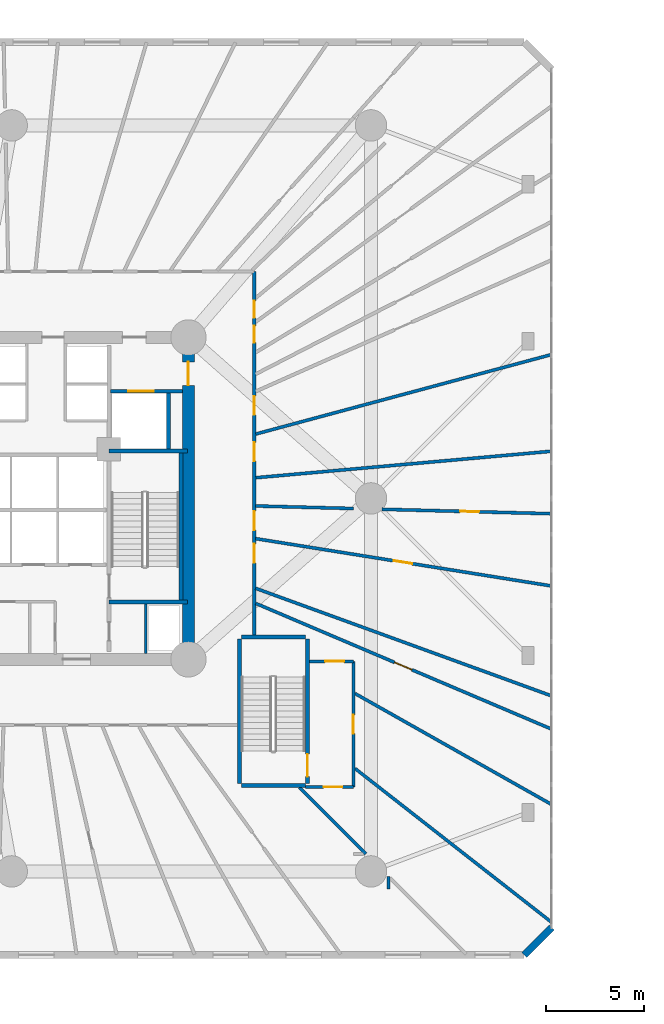
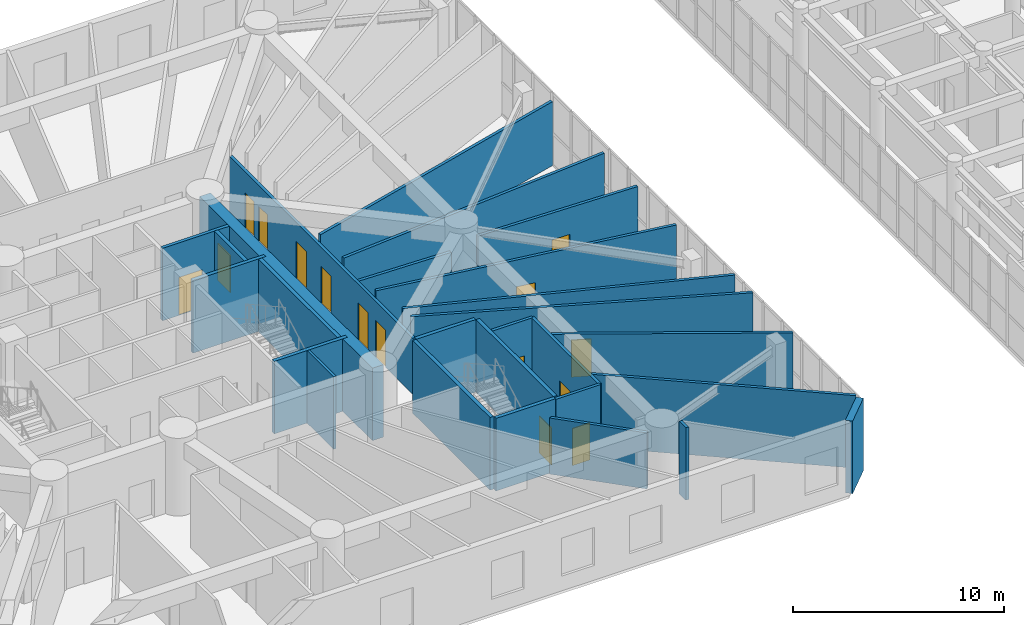
# One storey, part 16 of 26: 27 walls, 15 doors, 15 openings.
"""IFC4 building model written with IfcOpenShell, lengths in metres."""

from ifc_helpers import new_model, si_unit, direction, frame, frame_2d, origin, origin_with_axes, place, context, subcontext, project, spatial, rectangle, extrude, source, transform, mapped, material, layer, layer_set, type_object, element, fill, save


model = new_model("IFC4")

# Units and contexts
model_context = context("Model", 3, precision=1e-05, world=origin(), true_north=direction((0.0, 1.0)))
body_context = subcontext(model_context, "Body", "Model", "MODEL_VIEW")
ifc_project = project(units=[si_unit("LENGTHUNIT", "METRE"), si_unit("AREAUNIT", "SQUARE_METRE"), si_unit("VOLUMEUNIT", "CUBIC_METRE"), si_unit("PLANEANGLEUNIT", "RADIAN"), si_unit("MASSUNIT", "GRAM", prefix="KILO")], contexts=[model_context])

# Site, building, storey
site_placement = place(None, origin())
site = spatial("IfcSite", under=ifc_project, at=site_placement, CompositionType="ELEMENT")
building_placement = place(site_placement, origin())
building = spatial("IfcBuilding", under=site, at=building_placement, Name="Karkom Vertical University and Central Library", CompositionType="ELEMENT")
storey_placement = place(building_placement, frame((0.0, 0.0, 9.0)))
storey = spatial("IfcBuildingStorey", under=building, at=storey_placement, Name="L02", CompositionType="ELEMENT", Elevation=9.0)

# Wall
ifc_material_1 = material(Name="Brick masonry 360mm insulated cavity", Category="masonry")
ifc_layer_1 = layer(ifc_material_1, 0.360107421875)
ifc_layer_set_1 = layer_set([ifc_layer_1], Name="Brick masonry 360mm insulated cavity")
wall_type_1 = type_object("IfcWallType", Name="ENV-WL-BRK-360", PredefinedType="SOLIDWALL", material=ifc_layer_set_1)
wall_1_placement = place(storey_placement, frame((54.60009765625, 3.25, 0.0), z_axis=(0.0, 0.0, 1.0), x_axis=(0.707106781187, 0.707106781187, 0.0)))
element("IfcWall", 1, at=wall_1_placement, inside=storey, type_object=wall_type_1, Name="Level 02 POD Terracotta Brick Facade Wall 02", PredefinedType="SOLIDWALL", context=body_context, shape_type="SweptSolid", body=[
    extrude(rectangle(XDim=1.979736328125, YDim=0.360107421875, at=frame_2d((0.98974609375, 0.0))), origin(), (0.0, 0.0, 1.0), 4.199951171875),
])

# Wall, openings, doors
ifc_material_2 = material(Name="Insulated metal-stud drywall 160mm", Category="gypsum")
ifc_layer_2 = layer(ifc_material_2, 0.159912109375)
ifc_layer_set_2 = layer_set([ifc_layer_2], Name="Insulated metal-stud drywall 160mm")
wall_type_2 = type_object("IfcWallType", Name="INT-WL-COR-160", PredefinedType="PARTITIONING", material=ifc_layer_set_2)
wall_2_placement = place(storey_placement, frame((40.85009765625, 38.050048828125, 0.0), z_axis=(0.0, 0.0, 1.0), x_axis=(0.0, -1.0, 0.0)))
wall_2 = element("IfcWall", 2, at=wall_2_placement, inside=storey, type_object=wall_type_2, Name="Level 02 Interior Partition Wall Level 02-PDCW-CW-009", PredefinedType="PARTITIONING", context=body_context, shape_type="SweptSolid", body=[
    extrude(rectangle(XDim=18.508056640625, YDim=0.159912109375, at=frame_2d((9.25390625, 0.0))), origin(), (0.0, 0.0, 1.0), 3.25),
])
opening_1_placement = place(wall_2_placement, frame((13.8701171875, 0.0, 0.0)))
opening_1 = element("IfcOpeningElement", 3, at=opening_1_placement, cuts=wall_2, Name="Opening FD-RM2", PredefinedType="OPENING", context=body_context, shape_type="SweptSolid", body=[
    extrude(rectangle(XDim=0.9599609375, YDim=2.14990234375, at=frame_2d((0.47998046875, 1.074951171875))), frame((0.0, 0.08984375, 0.0), z_axis=(0.0, -1.0, 0.0), x_axis=(1.0, 0.0, 0.0)), (0.0, 0.0, 1.0), 0.179931640625),
])
opening_2_placement = place(wall_2_placement, frame((8.695068359375, 0.0, 0.0)))
opening_2 = element("IfcOpeningElement", 4, at=opening_2_placement, cuts=wall_2, Name="Opening FD-RM2", PredefinedType="OPENING", context=body_context, shape_type="SweptSolid", body=[
    extrude(rectangle(XDim=0.9599609375, YDim=2.14990234375, at=frame_2d((0.47998046875, 1.074951171875))), frame((0.0, 0.08984375, 0.0), z_axis=(0.0, -1.0, 0.0), x_axis=(1.0, 0.0, 0.0)), (0.0, 0.0, 1.0), 0.179931640625),
])
opening_3_placement = place(wall_2_placement, frame((6.333984375, 0.0, 0.0)))
opening_3 = element("IfcOpeningElement", 5, at=opening_3_placement, cuts=wall_2, Name="Opening FD-RM2", PredefinedType="OPENING", context=body_context, shape_type="SweptSolid", body=[
    extrude(rectangle(XDim=0.9599609375, YDim=2.14990234375, at=frame_2d((0.47998046875, 1.074951171875))), frame((0.0, 0.08984375, 0.0), z_axis=(0.0, -1.0, 0.0), x_axis=(1.0, 0.0, 0.0)), (0.0, 0.0, 1.0), 0.179931640625),
])
opening_4_placement = place(wall_2_placement, frame((12.199951171875, 0.0, 0.0)))
opening_4 = element("IfcOpeningElement", 6, at=opening_4_placement, cuts=wall_2, Name="Opening FD-RM2", PredefinedType="OPENING", context=body_context, shape_type="SweptSolid", body=[
    extrude(rectangle(XDim=0.9599609375, YDim=2.14990234375, at=frame_2d((0.47998046875, 1.074951171875))), frame((0.0, 0.08984375, 0.0), z_axis=(0.0, -1.0, 0.0), x_axis=(1.0, 0.0, 0.0)), (0.0, 0.0, 1.0), 0.179931640625),
])
opening_5_placement = place(wall_2_placement, frame((2.760009765625, 0.0, 0.0)))
opening_5 = element("IfcOpeningElement", 7, at=opening_5_placement, cuts=wall_2, Name="Opening FD-BTH2", PredefinedType="OPENING", context=body_context, shape_type="SweptSolid", body=[
    extrude(rectangle(XDim=0.860107421875, YDim=2.0400390625, at=frame_2d((0.43017578125, 1.02001953125))), frame((0.0, 0.08984375, 0.0), z_axis=(0.0, -1.0, 0.0), x_axis=(1.0, 0.0, 0.0)), (0.0, 0.0, 1.0), 0.179931640625),
])
opening_6_placement = place(wall_2_placement, frame((1.49365234375, 0.0, 0.0)))
opening_6 = element("IfcOpeningElement", 8, at=opening_6_placement, cuts=wall_2, Name="Opening FD-BTH2", PredefinedType="OPENING", context=body_context, shape_type="SweptSolid", body=[
    extrude(rectangle(XDim=0.860107421875, YDim=2.0400390625, at=frame_2d((0.43017578125, 1.02001953125))), frame((0.0, 0.08984375, 0.0), z_axis=(0.0, -1.0, 0.0), x_axis=(1.0, 0.0, 0.0)), (0.0, 0.0, 1.0), 0.179931640625),
])
ifc_material_3 = material(Name="Fire-rated oak veneer door", Category="wood")
door_type_1 = type_object("IfcDoorType", Name="INT-DR-FRM2", OperationType="NOTDEFINED", PredefinedType="DOOR", material=ifc_material_3)
shared_shape_1 = source(origin_with_axes(), body_context, "Body", "SweptSolid", [
    extrude(rectangle(XDim=0.9599609375, YDim=2.14990234375, at=frame_2d((0.47998046875, 1.074951171875))), frame((0.0, 0.02490234375, 0.0), z_axis=(0.0, -1.0, 0.0), x_axis=(1.0, 0.0, 0.0)), (0.0, 0.0, 1.0), 0.050048828125),
])
door_1_placement = place(opening_1_placement, origin())
door_1 = element("IfcDoor", 9, at=door_1_placement, inside=storey, type_object=door_type_1, Name="Level 02 Room Entry Door 820", OperationType="SINGLE_SWING_RIGHT", OverallHeight=2.14990234375, OverallWidth=0.9599609375, PredefinedType="DOOR", context=body_context, shape_type="MappedRepresentation", body=[
    mapped(shared_shape_1, transform((0.0, 0.0, 0.0), scale=1.0)),
])
fill(opening_1, door_1)
door_2_placement = place(opening_2_placement, origin())
door_2 = element("IfcDoor", 10, at=door_2_placement, inside=storey, type_object=door_type_1, Name="Level 02 Room Entry Door 823", OperationType="SINGLE_SWING_LEFT", OverallHeight=2.14990234375, OverallWidth=0.9599609375, PredefinedType="DOOR", context=body_context, shape_type="MappedRepresentation", body=[
    mapped(shared_shape_1, transform((0.0, 0.0, 0.0), scale=1.0)),
])
fill(opening_2, door_2)
door_3_placement = place(opening_3_placement, origin())
door_3 = element("IfcDoor", 11, at=door_3_placement, inside=storey, type_object=door_type_1, Name="Level 02 Room Entry Door 824", OperationType="SINGLE_SWING_RIGHT", OverallHeight=2.14990234375, OverallWidth=0.9599609375, PredefinedType="DOOR", context=body_context, shape_type="MappedRepresentation", body=[
    mapped(shared_shape_1, transform((0.0, 0.0, 0.0), scale=1.0)),
])
fill(opening_3, door_3)
door_4_placement = place(opening_4_placement, origin())
door_4 = element("IfcDoor", 12, at=door_4_placement, inside=storey, type_object=door_type_1, Name="Level 02 Room Entry Door 826", OperationType="SINGLE_SWING_RIGHT", OverallHeight=2.14990234375, OverallWidth=0.9599609375, PredefinedType="DOOR", context=body_context, shape_type="MappedRepresentation", body=[
    mapped(shared_shape_1, transform((0.0, 0.0, 0.0), scale=1.0)),
])
fill(opening_4, door_4)
ifc_material_4 = material(Name="Fire-rated moisture-resistant oak door", Category="wood")
door_type_2 = type_object("IfcDoorType", Name="INT-DR-FBTH2", OperationType="NOTDEFINED", PredefinedType="DOOR", material=ifc_material_4)
shared_shape_2 = source(origin_with_axes(), body_context, "Body", "SweptSolid", [
    extrude(rectangle(XDim=0.860107421875, YDim=2.0400390625, at=frame_2d((0.43017578125, 1.02001953125))), frame((0.0, 0.02490234375, 0.0), z_axis=(0.0, -1.0, 0.0), x_axis=(1.0, 0.0, 0.0)), (0.0, 0.0, 1.0), 0.050048828125),
])
door_5_placement = place(opening_5_placement, origin())
door_5 = element("IfcDoor", 13, at=door_5_placement, inside=storey, type_object=door_type_2, Name="Level 02 Departmental Admin Office Entry Door", OperationType="SINGLE_SWING_LEFT", OverallHeight=2.0400390625, OverallWidth=0.860107421875, PredefinedType="DOOR", context=body_context, shape_type="MappedRepresentation", body=[
    mapped(shared_shape_2, transform((0.0, 0.0, 0.0), scale=1.0)),
])
fill(opening_5, door_5)
door_6_placement = place(opening_6_placement, origin())
door_6 = element("IfcDoor", 14, at=door_6_placement, inside=storey, type_object=door_type_2, Name="Level 02 Campus Bookshop Market Entry Door", OperationType="SINGLE_SWING_RIGHT", OverallHeight=2.0400390625, OverallWidth=0.860107421875, PredefinedType="DOOR", context=body_context, shape_type="MappedRepresentation", body=[
    mapped(shared_shape_2, transform((0.0, 0.0, 0.0), scale=1.0)),
])
fill(opening_6, door_6)

# Wall, opening, door
wall_3_placement = place(storey_placement, frame((40.931884765625, 21.15087890625, 0.0), z_axis=(0.0, 0.0, 1.0), x_axis=(0.920324867376, -0.39115487788, 0.0)))
wall_3 = element("IfcWall", 15, at=wall_3_placement, inside=storey, type_object=wall_type_2, Name="Level 02 Interior Partition Wall Level 02-PODW-19-20-1", PredefinedType="PARTITIONING", context=body_context, shape_type="SweptSolid", body=[
    extrude(rectangle(XDim=16.339599609375, YDim=0.159912109375, at=frame_2d((8.169921875, 0.0))), origin(), (0.0, 0.0, 1.0), 4.199951171875),
])
opening_7_placement = place(wall_3_placement, frame((7.67724609375, 0.0, 0.0)))
opening_7 = element("IfcOpeningElement", 16, at=opening_7_placement, cuts=wall_3, Name="Opening FD-RM2", PredefinedType="OPENING", context=body_context, shape_type="SweptSolid", body=[
    extrude(rectangle(XDim=0.9599609375, YDim=2.14990234375, at=frame_2d((0.47998046875, 1.074951171875))), frame((0.0, 0.08984375, 0.0), z_axis=(0.0, -1.0, 0.0), x_axis=(1.0, 0.0, 0.0)), (0.0, 0.0, 1.0), 0.179931640625),
])
door_7_placement = place(opening_7_placement, origin())
door_7 = element("IfcDoor", 17, at=door_7_placement, inside=storey, type_object=door_type_1, Name="Level 02 Room Entry Door 819", OperationType="SINGLE_SWING_LEFT", OverallHeight=2.14990234375, OverallWidth=0.9599609375, PredefinedType="DOOR", context=body_context, shape_type="MappedRepresentation", body=[
    mapped(shared_shape_1, transform((0.0, 0.0, 0.0), scale=1.0)),
])
fill(opening_7, door_7)

# Walls
wall_4_placement = place(storey_placement, frame((40.91796875, 21.92236328125, 0.0), z_axis=(0.0, 0.0, 1.0), x_axis=(0.93983791992, -0.341620673088, 0.0)))
element("IfcWall", 18, at=wall_4_placement, inside=storey, type_object=wall_type_2, Name="Level 02 Interior Partition Wall Level 02-PODW-20-21-1", PredefinedType="PARTITIONING", context=body_context, shape_type="SweptSolid", body=[
    extrude(rectangle(XDim=16.016845703125, YDim=0.159912109375, at=frame_2d((8.00830078125, 0.0))), origin(), (0.0, 0.0, 1.0), 4.199951171875),
])
wall_5_placement = place(storey_placement, frame((40.931884765625, 29.779052734375, 0.0), z_axis=(0.0, 0.0, 1.0), x_axis=(0.96572887565, 0.259552959405, 0.0)))
element("IfcWall", 19, at=wall_5_placement, inside=storey, type_object=wall_type_2, Name="Level 02 Interior Partition Wall Level 02-PODW-24-25-1", PredefinedType="PARTITIONING", context=body_context, shape_type="SweptSolid", body=[
    extrude(rectangle(XDim=15.57470703125, YDim=0.159912109375, at=frame_2d((7.787353515625, 0.0))), origin(), (0.0, 0.0, 1.0), 3.699951171875),
])

# Wall, opening, door
wall_6_placement = place(storey_placement, frame((40.917236328125, 24.45263671875, 0.0), z_axis=(0.0, 0.0, 1.0), x_axis=(0.987442330367, -0.157979885424, 0.0)))
wall_6 = element("IfcWall", 20, at=wall_6_placement, inside=storey, type_object=wall_type_2, Name="Level 02 Interior Partition Wall Level 02-PODW-21-22-1", PredefinedType="PARTITIONING", context=body_context, shape_type="SweptSolid", body=[
    extrude(rectangle(XDim=15.248291015625, YDim=0.159912109375, at=frame_2d((7.6240234375, 0.0))), origin(), (0.0, 0.0, 1.0), 3.699951171875),
])
opening_8_placement = place(wall_6_placement, frame((7.124267578125, 0.0, 0.0)))
opening_8 = element("IfcOpeningElement", 21, at=opening_8_placement, cuts=wall_6, Name="Opening FD-RM2", PredefinedType="OPENING", context=body_context, shape_type="SweptSolid", body=[
    extrude(rectangle(XDim=0.9599609375, YDim=2.14990234375, at=frame_2d((0.47998046875, 1.074951171875))), frame((0.0, 0.08984375, 0.0), z_axis=(0.0, -1.0, 0.0), x_axis=(1.0, 0.0, 0.0)), (0.0, 0.0, 1.0), 0.179931640625),
])
door_8_placement = place(opening_8_placement, origin())
door_8 = element("IfcDoor", 22, at=door_8_placement, inside=storey, type_object=door_type_1, Name="Level 02 Room Entry Door 821", OperationType="SINGLE_SWING_LEFT", OverallHeight=2.14990234375, OverallWidth=0.9599609375, PredefinedType="DOOR", context=body_context, shape_type="MappedRepresentation", body=[
    mapped(shared_shape_1, transform((0.0, 0.0, 0.0), scale=1.0)),
])
fill(opening_8, door_8)

# Walls
wall_7_placement = place(storey_placement, frame((40.931884765625, 27.552978515625, 0.0), z_axis=(0.0, 0.0, 1.0), x_axis=(0.996013941628, 0.08919769102, 0.0)))
element("IfcWall", 23, at=wall_7_placement, inside=storey, type_object=wall_type_2, Name="Level 02 Interior Partition Wall Level 02-PODW-23-24-1", PredefinedType="PARTITIONING", context=body_context, shape_type="SweptSolid", body=[
    extrude(rectangle(XDim=15.103271484375, YDim=0.159912109375, at=frame_2d((7.5517578125, 0.0))), origin(), (0.0, 0.0, 1.0), 3.699951171875),
])
wall_8_placement = place(storey_placement, frame((45.98193359375, 12.746337890625, 0.0), z_axis=(0.0, 0.0, 1.0), x_axis=(0.787599730353, -0.616187199436, 0.0)))
element("IfcWall", 24, at=wall_8_placement, inside=storey, type_object=wall_type_2, Name="Level 02 Interior Partition Wall Level 02-PODW-17-18-1", PredefinedType="PARTITIONING", context=body_context, shape_type="SweptSolid", body=[
    extrude(rectangle(XDim=12.67041015625, YDim=0.159912109375, at=frame_2d((6.335205078125, 0.0))), origin(), (0.0, 0.0, 1.0), 4.199951171875),
])
wall_9_placement = place(storey_placement, frame((45.98193359375, 16.563232421875, 0.0), z_axis=(0.0, 0.0, 1.0), x_axis=(0.870851801876, -0.491545663362, 0.0)))
element("IfcWall", 25, at=wall_9_placement, inside=storey, type_object=wall_type_2, Name="Level 02 Interior Partition Wall Level 02-PODW-18-19-1", PredefinedType="PARTITIONING", context=body_context, shape_type="SweptSolid", body=[
    extrude(rectangle(XDim=11.46533203125, YDim=0.159912109375, at=frame_2d((5.732666015625, 0.0))), origin(), (0.0, 0.0, 1.0), 4.199951171875),
])

# Wall, opening, door
wall_10_placement = place(storey_placement, frame((47.355712890625, 25.94580078125, 0.0), z_axis=(0.0, 0.0, 1.0), x_axis=(0.999656949927, -0.026191266922, 0.0)))
wall_10 = element("IfcWall", 26, at=wall_10_placement, inside=storey, type_object=wall_type_2, Name="Level 02 Interior Partition Wall Level 02-PODW-22-23-2", PredefinedType="PARTITIONING", context=body_context, shape_type="SweptSolid", body=[
    extrude(rectangle(XDim=8.622314453125, YDim=0.159912109375, at=frame_2d((4.31103515625, 0.0))), origin(), (0.0, 0.0, 1.0), 3.699951171875),
])
opening_9_placement = place(wall_10_placement, frame((3.98583984375, 0.0, 0.0)))
opening_9 = element("IfcOpeningElement", 27, at=opening_9_placement, cuts=wall_10, Name="Opening FD-RM2", PredefinedType="OPENING", context=body_context, shape_type="SweptSolid", body=[
    extrude(rectangle(XDim=0.9599609375, YDim=2.14990234375, at=frame_2d((0.47998046875, 1.074951171875))), frame((0.0, 0.08984375, 0.0), z_axis=(0.0, -1.0, 0.0), x_axis=(1.0, 0.0, 0.0)), (0.0, 0.0, 1.0), 0.179931640625),
])
door_9_placement = place(opening_9_placement, origin())
door_9 = element("IfcDoor", 28, at=door_9_placement, inside=storey, type_object=door_type_1, Name="Level 02 Room Entry Door 822", OperationType="SINGLE_SWING_RIGHT", OverallHeight=2.14990234375, OverallWidth=0.9599609375, PredefinedType="DOOR", context=body_context, shape_type="MappedRepresentation", body=[
    mapped(shared_shape_1, transform((0.0, 0.0, 0.0), scale=1.0)),
])
fill(opening_9, door_9)

wall_11_placement = place(storey_placement, frame((45.89990234375, 18.199951171875, 0.0), z_axis=(0.0, 0.0, 1.0), x_axis=(0.0, -1.0, 0.0)))
wall_11 = element("IfcWall", 29, at=wall_11_placement, inside=storey, type_object=wall_type_2, Name="Level 02 Interior Partition Wall Level 02-PDCW-CW-022", PredefinedType="PARTITIONING", context=body_context, shape_type="SweptSolid", body=[
    extrude(rectangle(XDim=6.39990234375, YDim=0.159912109375, at=frame_2d((3.199951171875, 0.0))), origin(), (0.0, 0.0, 1.0), 4.199951171875),
])
opening_10_placement = place(wall_11_placement, frame((2.72509765625, 0.0, 0.0)))
opening_10 = element("IfcOpeningElement", 30, at=opening_10_placement, cuts=wall_11, Name="Opening FD-RM2", PredefinedType="OPENING", context=body_context, shape_type="SweptSolid", body=[
    extrude(rectangle(XDim=0.9599609375, YDim=2.14990234375, at=frame_2d((0.47998046875, 1.074951171875))), frame((0.0, 0.08984375, 0.0), z_axis=(0.0, -1.0, 0.0), x_axis=(1.0, 0.0, 0.0)), (0.0, 0.0, 1.0), 0.179931640625),
])
door_10_placement = place(opening_10_placement, origin())
door_10 = element("IfcDoor", 31, at=door_10_placement, inside=storey, type_object=door_type_1, Name="Level 02 Room Entry Door 817", OperationType="SINGLE_SWING_LEFT", OverallHeight=2.14990234375, OverallWidth=0.9599609375, PredefinedType="DOOR", context=body_context, shape_type="MappedRepresentation", body=[
    mapped(shared_shape_1, transform((0.0, 0.0, 0.0), scale=1.0)),
])
fill(opening_10, door_10)

# Walls
wall_12_placement = place(storey_placement, frame((40.9169921875, 26.114501953125, 0.0), z_axis=(0.0, 0.0, 1.0), x_axis=(0.999656721333, -0.026199990349, 0.0)))
element("IfcWall", 32, at=wall_12_placement, inside=storey, type_object=wall_type_2, Name="Level 02 Interior Partition Wall Level 02-PODW-22-23-1", PredefinedType="PARTITIONING", context=body_context, shape_type="SweptSolid", body=[
    extrude(rectangle(XDim=4.99462890625, YDim=0.159912109375, at=frame_2d((2.497314453125, 0.0))), origin(), (0.0, 0.0, 1.0), 3.25),
])
wall_13_placement = place(storey_placement, frame((43.1533203125, 11.77294921875, 0.0), z_axis=(0.0, 0.0, 1.0), x_axis=(0.707361787394, -0.706851682982, 0.0)))
element("IfcWall", 33, at=wall_13_placement, inside=storey, type_object=wall_type_2, Name="Level 02 Interior Partition Wall Level 02-PODW-16-17-1", PredefinedType="PARTITIONING", context=body_context, shape_type="SweptSolid", body=[
    extrude(rectangle(XDim=4.7861328125, YDim=0.159912109375, at=frame_2d((2.39306640625, 0.0))), origin(), (0.0, 0.0, 1.0), 3.25),
])

# Wall, opening, door
wall_14_placement = place(storey_placement, frame((45.89990234375, 11.800048828125, 0.0), z_axis=(0.0, 0.0, 1.0), x_axis=(-1.0, 0.0, 0.0)))
wall_14 = element("IfcWall", 34, at=wall_14_placement, inside=storey, type_object=wall_type_2, Name="Level 02 Interior Partition Wall Level 02-PDCW-CW-020", PredefinedType="PARTITIONING", context=body_context, shape_type="SweptSolid", body=[
    extrude(rectangle(XDim=2.434814453125, YDim=0.159912109375, at=frame_2d((1.21728515625, 0.0))), origin(), (0.0, 0.0, 1.0), 4.199951171875),
])
opening_11_placement = place(wall_14_placement, frame((0.554931640625, 0.0, 0.0)))
opening_11 = element("IfcOpeningElement", 35, at=opening_11_placement, cuts=wall_14, Name="Opening FD-RM2", PredefinedType="OPENING", context=body_context, shape_type="SweptSolid", body=[
    extrude(rectangle(XDim=0.9599609375, YDim=2.14990234375, at=frame_2d((0.47998046875, 1.074951171875))), frame((0.0, 0.08984375, 0.0), z_axis=(0.0, -1.0, 0.0), x_axis=(1.0, 0.0, 0.0)), (0.0, 0.0, 1.0), 0.179931640625),
])
door_11_placement = place(opening_11_placement, origin())
door_11 = element("IfcDoor", 36, at=door_11_placement, inside=storey, type_object=door_type_1, Name="Level 02 Room Entry Door 816", OperationType="SINGLE_SWING_RIGHT", OverallHeight=2.14990234375, OverallWidth=0.9599609375, PredefinedType="DOOR", context=body_context, shape_type="MappedRepresentation", body=[
    mapped(shared_shape_1, transform((0.0, 0.0, 0.0), scale=1.0)),
])
fill(opening_11, door_11)

wall_15_placement = place(storey_placement, frame((43.672119140625, 18.199951171875, 0.0), z_axis=(0.0, 0.0, 1.0), x_axis=(1.0, 0.0, 0.0)))
wall_15 = element("IfcWall", 37, at=wall_15_placement, inside=storey, type_object=wall_type_2, Name="Level 02 Interior Partition Wall Level 02-PDCW-CW-021", PredefinedType="PARTITIONING", context=body_context, shape_type="SweptSolid", body=[
    extrude(rectangle(XDim=2.227783203125, YDim=0.159912109375, at=frame_2d((1.11376953125, 0.0))), origin(), (0.0, 0.0, 1.0), 4.199951171875),
])
opening_12_placement = place(wall_15_placement, frame((0.794921875, 0.0, 0.0)))
opening_12 = element("IfcOpeningElement", 38, at=opening_12_placement, cuts=wall_15, Name="Opening FD-RM2", PredefinedType="OPENING", context=body_context, shape_type="SweptSolid", body=[
    extrude(rectangle(XDim=0.9599609375, YDim=2.14990234375, at=frame_2d((0.47998046875, 1.074951171875))), frame((0.0, 0.08984375, 0.0), z_axis=(0.0, -1.0, 0.0), x_axis=(1.0, 0.0, 0.0)), (0.0, 0.0, 1.0), 0.179931640625),
])
door_12_placement = place(opening_12_placement, origin())
door_12 = element("IfcDoor", 39, at=door_12_placement, inside=storey, type_object=door_type_1, Name="Level 02 Room Entry Door 818", OperationType="SINGLE_SWING_RIGHT", OverallHeight=2.14990234375, OverallWidth=0.9599609375, PredefinedType="DOOR", context=body_context, shape_type="MappedRepresentation", body=[
    mapped(shared_shape_1, transform((0.0, 0.0, 0.0), scale=1.0)),
])
fill(opening_12, door_12)

# Walls
wall_16_placement = place(storey_placement, frame((47.68994140625, 6.610107421875, 0.0), z_axis=(0.0, 0.0, 1.0), x_axis=(0.0, 1.0, 0.0)))
element("IfcWall", 40, at=wall_16_placement, inside=storey, type_object=wall_type_2, Name="Level 02 Interior Partition Wall Level 02-PODW-16-17-3", PredefinedType="PARTITIONING", context=body_context, shape_type="SweptSolid", body=[
    extrude(rectangle(XDim=0.62939453125, YDim=0.159912109375, at=frame_2d((0.314697265625, 0.0))), origin(), (0.0, 0.0, 1.0), 4.199951171875),
])
ifc_material_5 = material(Name="Metal-stud gypsum partition 140mm", Category="gypsum")
ifc_layer_3 = layer(ifc_material_5, 0.139892578125)
ifc_layer_set_3 = layer_set([ifc_layer_3], Name="Metal-stud gypsum partition 140mm")
wall_type_3 = type_object("IfcWallType", Name="INT-WL-SUB-140H", PredefinedType="PARTITIONING", material=ifc_layer_set_3)
wall_17_placement = place(storey_placement, frame((35.320068359375, 18.60693359375, 0.0), z_axis=(0.0, 0.0, 1.0), x_axis=(0.0, 1.0, 0.0)))
element("IfcWall", 41, at=wall_17_placement, inside=storey, type_object=wall_type_3, Name="Level 02 Interior Partition Wall Level 02-CW-RIS-E", PredefinedType="PARTITIONING", context=body_context, shape_type="SweptSolid", body=[
    extrude(rectangle(XDim=2.502685546875, YDim=0.139892578125, at=frame_2d((1.25146484375, 0.0))), origin(), (0.0, 0.0, 1.0), 4.199951171875),
])

# Wall, opening, door
ifc_material_6 = material(Name="Twin-stud acoustic drywall 180mm", Category="gypsum")
ifc_layer_4 = layer(ifc_material_6, 0.179931640625)
ifc_layer_set_4 = layer_set([ifc_layer_4], Name="Twin-stud acoustic drywall 180mm")
wall_type_4 = type_object("IfcWallType", Name="INT-WL-TEN-180F", PredefinedType="PARTITIONING", material=ifc_layer_set_4)
wall_18_placement = place(storey_placement, frame((33.534912109375, 31.949951171875, 0.0), z_axis=(0.0, 0.0, 1.0), x_axis=(1.0, 0.0, 0.0)))
wall_18 = element("IfcWall", 42, at=wall_18_placement, inside=storey, type_object=wall_type_4, Name="Level 02 Interior Partition Wall Level 02-CW-SVL-N", PredefinedType="PARTITIONING", context=body_context, shape_type="SweptSolid", body=[
    extrude(rectangle(XDim=3.658447265625, YDim=0.179931640625, at=frame_2d((1.8291015625, 0.0))), origin(), (0.0, 0.0, 1.0), 4.199951171875),
])
opening_13_placement = place(wall_18_placement, frame((0.89990234375, 0.0, 0.0)))
opening_13 = element("IfcOpeningElement", 43, at=opening_13_placement, cuts=wall_18, Name="Opening LD-SV1", PredefinedType="OPENING", context=body_context, shape_type="SweptSolid", body=[
    extrude(rectangle(XDim=1.300048828125, YDim=2.199951171875, at=frame_2d((0.64990234375, 1.10009765625))), frame((0.0, 0.10009765625, 0.0), z_axis=(0.0, -1.0, 0.0), x_axis=(1.0, 0.0, 0.0)), (0.0, 0.0, 1.0), 0.199951171875),
])
ifc_material_7 = material(Name="Brushed stainless-steel landing door", Category="steel")
door_type_3 = type_object("IfcDoorType", Name="INT-DR-LD-SV1", OperationType="SLIDING_TO_LEFT", PredefinedType="DOOR", material=ifc_material_7)
shared_shape_3 = source(origin_with_axes(), body_context, "Body", "SweptSolid", [
    extrude(rectangle(XDim=1.300048828125, YDim=2.199951171875, at=frame_2d((0.64990234375, 1.10009765625))), frame((0.0, 0.02490234375, 0.0), z_axis=(0.0, -1.0, 0.0), x_axis=(1.0, 0.0, 0.0)), (0.0, 0.0, 1.0), 0.050048828125),
])
door_13_placement = place(opening_13_placement, origin())
door_13 = element("IfcDoor", 44, at=door_13_placement, inside=storey, type_object=door_type_3, Name="Level 02 Service Lift Landing Door LD-SV1", OperationType="SLIDING_TO_LEFT", OverallHeight=2.199951171875, OverallWidth=1.300048828125, PredefinedType="DOOR", context=body_context, shape_type="MappedRepresentation", body=[
    mapped(shared_shape_3, transform((0.0, 0.0, 0.0), scale=1.0)),
])
fill(opening_13, door_13)

ifc_material_8 = material(Name="Concrete C50/60", Category="concrete")
ifc_layer_5 = layer(ifc_material_8, 0.60009765625)
ifc_layer_set_5 = layer_set([ifc_layer_5], Name="Concrete C50/60")
wall_type_5 = type_object("IfcWallType", Name="STR-WL-CW-600", PredefinedType="SHEAR", material=ifc_layer_set_5)
wall_19_placement = place(storey_placement, frame((37.5, 18.300048828125, 0.0), z_axis=(0.0, 0.0, 1.0), x_axis=(0.0, 1.0, 0.0)))
wall_19 = element("IfcWall", 45, at=wall_19_placement, inside=storey, type_object=wall_type_5, Name="Level 02 Central Core Shear Wall EW", PredefinedType="SHEAR", context=body_context, shape_type="SweptSolid", body=[
    extrude(rectangle(XDim=16.39990234375, YDim=0.60009765625, at=frame_2d((8.199951171875, 0.0))), origin(), (0.0, 0.0, 1.0), 4.199951171875),
])
opening_14_placement = place(wall_19_placement, frame((13.9599609375, 0.0, 0.0)))
opening_14 = element("IfcOpeningElement", 46, at=opening_14_placement, cuts=wall_19, Name="Opening FD-SUB1", PredefinedType="OPENING", context=body_context, shape_type="SweptSolid", body=[
    extrude(rectangle(XDim=1.199951171875, YDim=2.14990234375, at=frame_2d((0.60009765625, 1.074951171875))), frame((0.0, 0.31005859375, 0.0), z_axis=(0.0, -1.0, 0.0), x_axis=(1.0, 0.0, 0.0)), (0.0, 0.0, 1.0), 0.6201171875),
])
ifc_material_9 = material(Name="Painted steel fire door", Category="steel")
door_type_4 = type_object("IfcDoorType", Name="INT-DR-SUB1", OperationType="NOTDEFINED", PredefinedType="DOOR", material=ifc_material_9)
shared_shape_4 = source(origin_with_axes(), body_context, "Body", "SweptSolid", [
    extrude(rectangle(XDim=1.199951171875, YDim=2.14990234375, at=frame_2d((0.60009765625, 1.074951171875))), frame((0.0, 0.02490234375, 0.0), z_axis=(0.0, -1.0, 0.0), x_axis=(1.0, 0.0, 0.0)), (0.0, 0.0, 1.0), 0.050048828125),
])
door_14_placement = place(opening_14_placement, origin())
door_14 = element("IfcDoor", 47, at=door_14_placement, inside=storey, type_object=door_type_4, Name="Level 02 East Corridor Service Lobby Door", OperationType="SINGLE_SWING_RIGHT", OverallHeight=2.14990234375, OverallWidth=1.199951171875, PredefinedType="DOOR", context=body_context, shape_type="MappedRepresentation", body=[
    mapped(shared_shape_4, transform((0.0, 0.0, 0.0), scale=1.0)),
])
fill(opening_14, door_14)

# Walls
ifc_material_10 = material(Name="Concrete C45/55", Category="concrete")
ifc_layer_6 = layer(ifc_material_10, 0.199951171875)
ifc_layer_set_6 = layer_set([ifc_layer_6], Name="Concrete C45/55")
wall_type_6 = type_object("IfcWallType", Name="STR-WL-ST-200", PredefinedType="SHEAR", material=ifc_layer_set_6)
wall_20_placement = place(storey_placement, frame((37.125, 21.320068359375, 0.0), z_axis=(0.0, 0.0, 1.0), x_axis=(0.0, 1.0, 0.0)))
element("IfcWall", 48, at=wall_20_placement, inside=storey, type_object=wall_type_6, Name="Level 02 Core Shaft Wall Level 02-CW-ST2-E", PredefinedType="SHEAR", context=body_context, shape_type="SweptSolid", body=[
    extrude(rectangle(XDim=7.5, YDim=0.199951171875, at=frame_2d((3.75, 0.0))), origin(), (0.0, 0.0, 1.0), 4.199951171875),
])
wall_21_placement = place(storey_placement, frame((40.094970703125, 11.97998046875, 0.0), z_axis=(0.0, 0.0, 1.0), x_axis=(0.0, 1.0, 0.0)))
element("IfcWall", 49, at=wall_21_placement, inside=storey, type_object=wall_type_6, Name="Level 02 Core Shaft Wall Level 02-W-POD1-W", PredefinedType="SHEAR", context=body_context, shape_type="SweptSolid", body=[
    extrude(rectangle(XDim=7.35009765625, YDim=0.199951171875, at=frame_2d((3.675048828125, 0.0))), origin(), (0.0, 0.0, 1.0), 4.199951171875),
])

# Wall, opening, door
wall_22_placement = place(storey_placement, frame((43.56494140625, 11.97998046875, 0.0), z_axis=(0.0, 0.0, 1.0), x_axis=(0.0, 1.0, 0.0)))
wall_22 = element("IfcWall", 50, at=wall_22_placement, inside=storey, type_object=wall_type_6, Name="Level 02 Core Shaft Wall Level 02-W-POD1-E", PredefinedType="SHEAR", context=body_context, shape_type="SweptSolid", body=[
    extrude(rectangle(XDim=7.35009765625, YDim=0.199951171875, at=frame_2d((3.675048828125, 0.0))), origin(), (0.0, 0.0, 1.0), 4.199951171875),
])
opening_15_placement = place(wall_22_placement, frame((0.35009765625, 0.0, 0.0)))
opening_15 = element("IfcOpeningElement", 51, at=opening_15_placement, cuts=wall_22, Name="Opening FD-ST1", PredefinedType="OPENING", context=body_context, shape_type="SweptSolid", body=[
    extrude(rectangle(XDim=1.14990234375, YDim=2.14990234375, at=frame_2d((0.574951171875, 1.074951171875))), frame((0.0, 0.10986328125, 0.0), z_axis=(0.0, -1.0, 0.0), x_axis=(1.0, 0.0, 0.0)), (0.0, 0.0, 1.0), 0.219970703125),
])
ifc_material_11 = material(Name="Painted steel acoustic fire door", Category="steel")
door_type_5 = type_object("IfcDoorType", Name="INT-DR-ST1", OperationType="NOTDEFINED", PredefinedType="DOOR", material=ifc_material_11)
shared_shape_5 = source(origin_with_axes(), body_context, "Body", "SweptSolid", [
    extrude(rectangle(XDim=1.14990234375, YDim=2.14990234375, at=frame_2d((0.574951171875, 1.074951171875))), frame((0.0, 0.02490234375, 0.0), z_axis=(0.0, -1.0, 0.0), x_axis=(1.0, 0.0, 0.0)), (0.0, 0.0, 1.0), 0.050048828125),
])
door_15_placement = place(opening_15_placement, origin())
door_15 = element("IfcDoor", 52, at=door_15_placement, inside=storey, type_object=door_type_5, Name="Level 02 POD1 Stair Door", OperationType="SINGLE_SWING_LEFT", OverallHeight=2.14990234375, OverallWidth=1.14990234375, PredefinedType="DOOR", context=body_context, shape_type="MappedRepresentation", body=[
    mapped(shared_shape_5, transform((0.0, 0.0, 0.0), scale=1.0)),
])
fill(opening_15, door_15)

# Walls
for number, where, z_axis, x_axis, name in (
    (53, (33.455078125, 21.215087890625, 0.0), (0.0, 0.0, 1.0), (1.0, 0.0, 0.0), "Level 02 Core Shaft Wall Level 02-CW-ST2-S"),
    (54, (33.455078125, 28.925048828125, 0.0), (0.0, 0.0, 1.0), (1.0, 0.0, 0.0), "Level 02 Core Shaft Wall Level 02-CW-ST2-N"),
):
    element("IfcWall", number, at=place(storey_placement, frame(where, z_axis=z_axis, x_axis=x_axis)), inside=storey, type_object=wall_type_6, Name=name, PredefinedType="SHEAR", context=body_context, shape_type="SweptSolid", body=[
        extrude(rectangle(XDim=3.994873046875, YDim=0.199951171875, at=frame_2d((1.99755859375, 0.0))), origin(), (0.0, 0.0, 1.0), 4.199951171875),
    ])
for number, where, z_axis, x_axis, name in (
    (55, (40.199951171875, 11.875, 0.0), (0.0, 0.0, 1.0), (1.0, 0.0, 0.0), "Level 02 Core Shaft Wall Level 02-W-POD1-S"),
    (56, (40.199951171875, 19.43505859375, 0.0), (0.0, 0.0, 1.0), (1.0, 0.0, 0.0), "Level 02 Core Shaft Wall Level 02-W-POD1-N"),
):
    element("IfcWall", number, at=place(storey_placement, frame(where, z_axis=z_axis, x_axis=x_axis)), inside=storey, type_object=wall_type_6, Name=name, PredefinedType="SHEAR", context=body_context, shape_type="SweptSolid", body=[
        extrude(rectangle(XDim=3.260009765625, YDim=0.199951171875, at=frame_2d((1.6298828125, 0.0))), origin(), (0.0, 0.0, 1.0), 4.199951171875),
    ])
wall_23_placement = place(storey_placement, frame((36.47998046875, 29.02001953125, 0.0), z_axis=(0.0, 0.0, 1.0), x_axis=(0.0, 1.0, 0.0)))
element("IfcWall", 57, at=wall_23_placement, inside=storey, type_object=wall_type_6, Name="Level 02 Core Shaft Wall Level 02-CW-SVL-E", PredefinedType="SHEAR", context=body_context, shape_type="SweptSolid", body=[
    extrude(rectangle(XDim=2.85986328125, YDim=0.199951171875, at=frame_2d((1.429931640625, 0.0))), origin(), (0.0, 0.0, 1.0), 4.199951171875),
])

save(model, "model.ifc")
